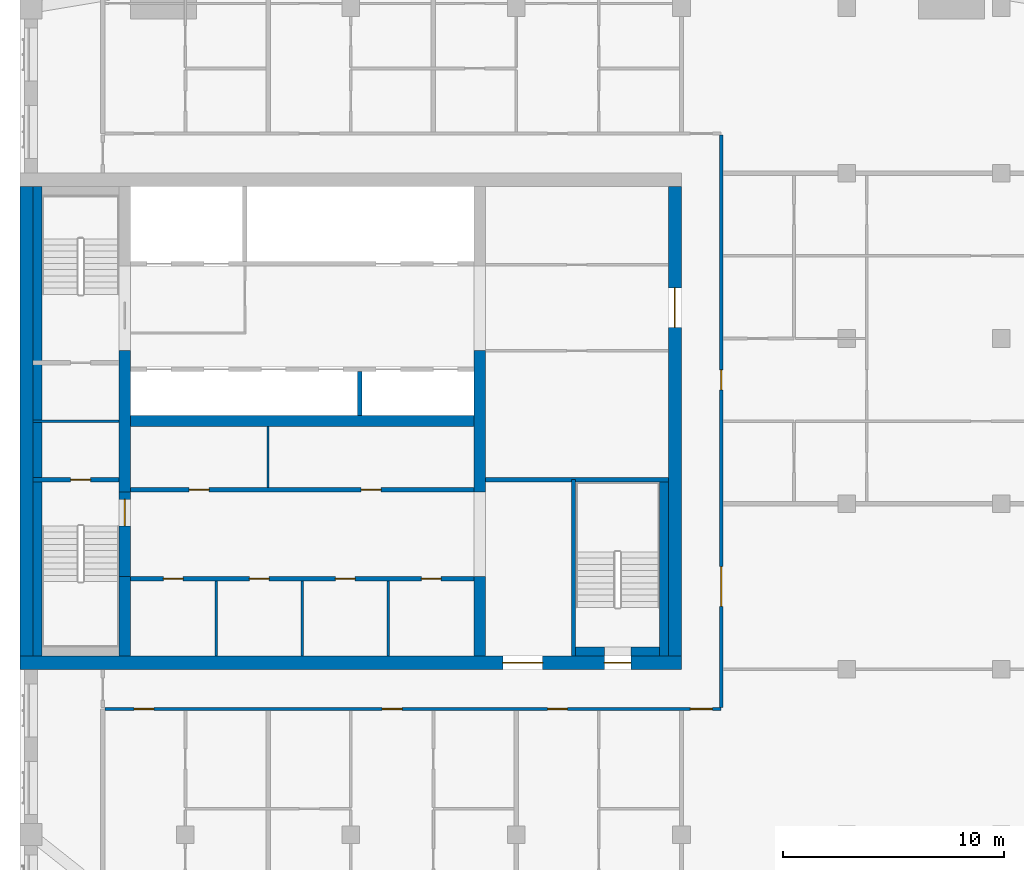
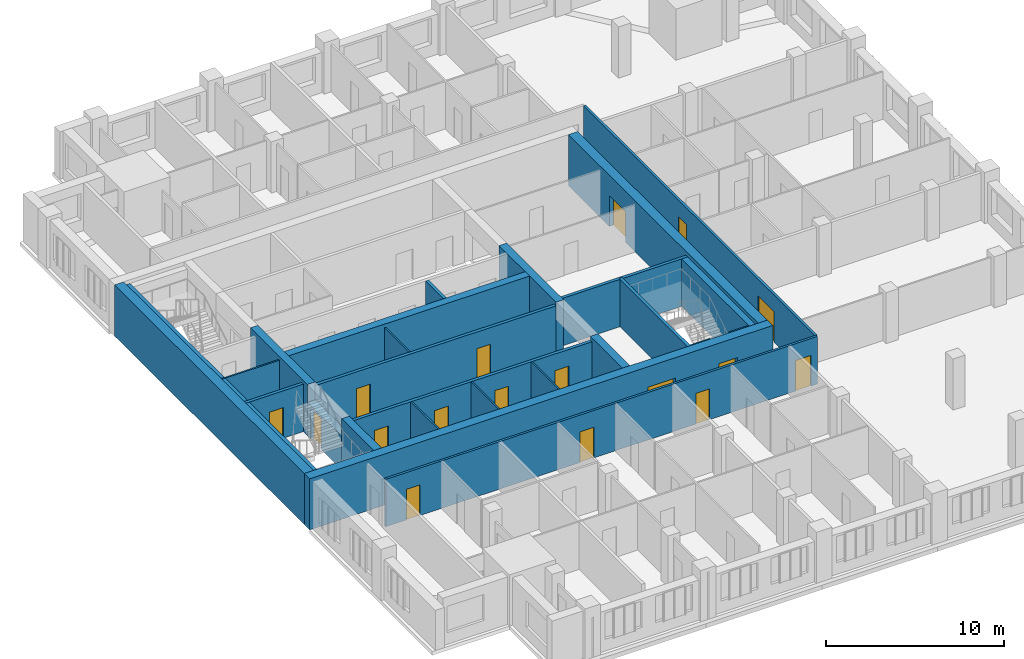
# One storey, part 4 of 11: 26 walls, 17 doors, 17 openings.
"""IFC4 building model written with IfcOpenShell, lengths in metres."""

import ifcopenshell
import ifcopenshell.guid

model = None  # the IFC model being written
_history = None  # IfcOwnerHistory: only IFC2X3 demands one
_inside = {}  # id of a spatial element -> (the spatial element, [elements in it])
_under = {}  # id of a project, library or spatial element -> (it, [spatial elements below it])
_declared = {}  # id of a project -> (the project, [libraries it declares])
_typed = {}  # id of a type object -> (the type object, [elements of that type])
_made_of = {}  # id of a material, layer set ... -> (it, [elements and type objects made of it])


def new_model(schema):
    """Start an empty IFC model of exactly this schema.

    Asked for "IFC4X3", IfcOpenShell would pick the latest addendum, in which some entities
    have other attributes; the version numbers below select the first issue.
    IFC2X3 requires an IfcOwnerHistory on every rooted entity: one is made here for all.
    """
    global model, _history
    if schema == "IFC4X3":
        model = ifcopenshell.file(schema_version=(4, 3, 0, 0))
    else:
        model = ifcopenshell.file(schema=schema)
    _inside.clear()
    _under.clear()
    _declared.clear()
    _typed.clear()
    _made_of.clear()
    _history = None
    if model.schema == "IFC2X3":
        org = make("IfcOrganization", Name="unknown")
        user = make(
            "IfcPersonAndOrganization",
            ThePerson=make("IfcPerson", FamilyName="unknown"),
            TheOrganization=org,
        )
        app = make(
            "IfcApplication",
            ApplicationDeveloper=org,
            Version="unknown",
            ApplicationFullName="unknown",
            ApplicationIdentifier="unknown",
        )
        _history = make(
            "IfcOwnerHistory",
            OwningUser=user,
            OwningApplication=app,
            ChangeAction="ADDED",
            CreationDate=0,
        )
    return model


def make(cls, **values):
    """One entity of the class cls with the attributes given. An attribute that is None is left unset."""
    return model.create_entity(
        cls, **{name: value for name, value in values.items() if value is not None}
    )


def rooted(cls, **values):
    """An entity with a GlobalId (a new one), such as an element, a storey or a relation."""
    return make(cls, GlobalId=ifcopenshell.guid.new(), OwnerHistory=_history, **values)


def si_unit(unit_type, name, prefix=None):
    """IfcSIUnit, for example si_unit("LENGTHUNIT", "METRE", prefix="MILLI")."""
    return make("IfcSIUnit", UnitType=unit_type, Prefix=prefix, Name=name)


def assignment(units):
    """IfcUnitAssignment: the units of a project."""
    return None if units is None else make("IfcUnitAssignment", Units=units)


def point(xyz):
    """IfcCartesianPoint."""
    return None if xyz is None else make("IfcCartesianPoint", Coordinates=xyz)


def direction(xyz):
    """IfcDirection."""
    return None if xyz is None else make("IfcDirection", DirectionRatios=xyz)


def frame(location, z_axis=None, x_axis=None):
    """IfcAxis2Placement3D, a coordinate frame: its origin and axes. An axis left out is left unset."""
    return make(
        "IfcAxis2Placement3D",
        Location=point(location),
        Axis=direction(z_axis),
        RefDirection=direction(x_axis),
    )


def frame_2d(location, x_axis=None):
    """IfcAxis2Placement2D, a coordinate frame in the plane: its origin and x axis."""
    return make(
        "IfcAxis2Placement2D", Location=point(location), RefDirection=direction(x_axis)
    )


def origin():
    """The frame at (0, 0, 0) with its axes left unset."""
    return frame((0.0, 0.0, 0.0))


def place(relative_to, where):
    """IfcLocalPlacement: puts the frame where relative to a parent placement (None: the world)."""
    return make(
        "IfcLocalPlacement", PlacementRelTo=relative_to, RelativePlacement=where
    )


def context(
    kind, dimensions, precision=None, world=None, true_north=None, identifier=None
):
    """IfcGeometricRepresentationContext, for example the 3D "Model" context."""
    return make(
        "IfcGeometricRepresentationContext",
        ContextIdentifier=identifier,
        ContextType=kind,
        CoordinateSpaceDimension=dimensions,
        Precision=precision,
        WorldCoordinateSystem=world,
        TrueNorth=true_north,
    )


def subcontext(parent, identifier, kind, view, scale=None):
    """IfcGeometricRepresentationSubContext, for example "Body" below "Model"."""
    return make(
        "IfcGeometricRepresentationSubContext",
        ContextIdentifier=identifier,
        ContextType=kind,
        ParentContext=parent,
        TargetScale=scale,
        TargetView=view,
    )


def project(units=None, contexts=None):
    """IfcProject with its units and contexts."""
    return rooted(
        "IfcProject",
        Name="project",
        RepresentationContexts=contexts,
        UnitsInContext=assignment(units),
    )


def spatial(cls, under=None, at=None, **own):
    """A site, building, storey or space (cls), placed at a placement, below another one or the project."""
    s = rooted(cls, ObjectPlacement=at, **own)
    if under is not None:
        _under.setdefault(under.id(), (under, []))[1].append(s)
    return s


def profile(cls, at=None, kind="AREA", **sizes):
    """A parametric profile (cls). Its sizes go by their IFC names, for example OverallWidth=200.0."""
    return make(cls, ProfileType=kind, Position=at, **sizes)


def rectangle(**sizes):
    """IfcRectangleProfileDef."""
    return profile("IfcRectangleProfileDef", **sizes)


def extrude(swept, where, along, depth):
    """IfcExtrudedAreaSolid: the profile swept, set in the frame where, extruded along a direction by depth."""
    return make(
        "IfcExtrudedAreaSolid",
        SweptArea=swept,
        Position=where,
        ExtrudedDirection=direction(along),
        Depth=depth,
    )


def shape(context_of_items, identifier, shape_type, items):
    """IfcShapeRepresentation: the items that make up one representation, for example the "Body"."""
    return make(
        "IfcShapeRepresentation",
        ContextOfItems=context_of_items,
        RepresentationIdentifier=identifier,
        RepresentationType=shape_type,
        Items=items,
    )


def material(Name=None, Category=None):
    """IfcMaterial."""
    return make("IfcMaterial", Name=Name, Category=Category)


def layer(
    of_material, thickness, ventilated=None, Name=None, Category=None, Priority=None
):
    """IfcMaterialLayer: one layer of a wall or slab, of a material (None: an air gap)."""
    return make(
        "IfcMaterialLayer",
        Material=of_material,
        LayerThickness=thickness,
        IsVentilated=ventilated,
        Name=Name,
        Category=Category,
        Priority=Priority,
    )


def layer_set(layers, Name=None):
    """IfcMaterialLayerSet."""
    return make("IfcMaterialLayerSet", MaterialLayers=layers, LayerSetName=Name)


def made_of(thing, what):
    """Note that an element or type object is made of a material, layer set ...; save() writes the relation."""
    if what is not None:
        _made_of.setdefault(what.id(), (what, []))[1].append(thing)
    return thing


def type_object(cls, material=None, **own):
    """A type object (cls), such as IfcWallType, which elements share."""
    return made_of(rooted(cls, **own), material)


def element(
    cls,
    number,
    at=None,
    inside=None,
    cuts=None,
    type_object=None,
    material=None,
    context=None,
    identifier="Body",
    shape_type=None,
    held_by="IfcProductDefinitionShape",
    body=None,
    shapes=None,
    **own,
):
    """One element of the class cls, such as IfcWall. Its Tag is "e" and its number.

    at: its placement. inside: the storey or other place that contains it. cuts: it is an
    opening in that element (IfcRelVoidsElement). A single representation is given by context,
    identifier, shape_type and body (its items); several are given by shapes. held_by: the class
    of the entity that holds the representations. save() writes the other relations.
    """
    e = rooted(cls, Tag="e%d" % number, ObjectPlacement=at, **own)
    if body is not None:
        shapes = [shape(context, identifier, shape_type, body)]
    if shapes is not None:
        e.Representation = make(held_by, Representations=shapes)
    if inside is not None:
        _inside.setdefault(inside.id(), (inside, []))[1].append(e)
    if cuts is not None:
        rooted(
            "IfcRelVoidsElement", RelatingBuildingElement=cuts, RelatedOpeningElement=e
        )
    if type_object is not None:
        _typed.setdefault(type_object.id(), (type_object, []))[1].append(e)
    return made_of(e, material)


def fill(opening, filler):
    """IfcRelFillsElement: the door or window that sits in an opening."""
    return rooted(
        "IfcRelFillsElement",
        RelatingOpeningElement=opening,
        RelatedBuildingElement=filler,
    )


def aggregate(whole, parts):
    """IfcRelAggregates: a whole, such as a stair, and the parts it consists of."""
    return rooted("IfcRelAggregates", RelatingObject=whole, RelatedObjects=parts)


def save(model, path):
    """Write the relations noted so far, then the file.

    IfcRelAggregates (storeys below a building ...), IfcRelContainedInSpatialStructure (elements
    in a storey), IfcRelDefinesByType, IfcRelAssociatesMaterial and IfcRelDeclares: one each for
    every whole, place, type object, material and project.
    """
    for whole, parts in _under.values():
        aggregate(whole, parts)
    for where, things in _inside.values():
        rooted(
            "IfcRelContainedInSpatialStructure",
            RelatedElements=things,
            RelatingStructure=where,
        )
    for kind, things in _typed.values():
        rooted("IfcRelDefinesByType", RelatedObjects=things, RelatingType=kind)
    for what, things in _made_of.values():
        rooted("IfcRelAssociatesMaterial", RelatedObjects=things, RelatingMaterial=what)
    for by, libraries in _declared.values():
        rooted("IfcRelDeclares", RelatingContext=by, RelatedDefinitions=libraries)
    model.write(path)


model = new_model("IFC4")

# Units and contexts
model_context = context("Model", 3, precision=1e-05, world=origin(), true_north=direction((0.0, 1.0)))
body_context = subcontext(model_context, "Body", "Model", "MODEL_VIEW")
ifc_project = project(units=[si_unit("LENGTHUNIT", "METRE"), si_unit("AREAUNIT", "SQUARE_METRE"), si_unit("VOLUMEUNIT", "CUBIC_METRE"), si_unit("PLANEANGLEUNIT", "RADIAN"), si_unit("MASSUNIT", "GRAM", prefix="KILO")], contexts=[model_context])

# Site, building, storey
site_placement = place(None, origin())
site = spatial("IfcSite", under=ifc_project, at=site_placement, CompositionType="ELEMENT")
building_placement = place(site_placement, origin())
building = spatial("IfcBuilding", under=site, at=building_placement, Name="Tamorin Gate", CompositionType="ELEMENT")
storey_placement = place(building_placement, frame((0.0, 0.0, 230.199951171875)))
storey = spatial("IfcBuildingStorey", under=building, at=storey_placement, Name="L57", CompositionType="ELEMENT", Elevation=230.199951171875)

# Wall, openings, doors
ifc_material_1 = material(Name="Gypsum board partition")
ifc_layer_1 = layer(ifc_material_1, 0.14990234375)
ifc_layer_set_1 = layer_set([ifc_layer_1], Name="Corridor wall 150")
wall_type_1 = type_object("IfcWallType", Name="Corridor wall 150", PredefinedType="PARTITIONING", material=ifc_layer_set_1)
wall_1_placement = place(storey_placement, frame((33.85009765625, 58.199951171875, 0.0), z_axis=(0.0, 0.0, 1.0), x_axis=(1.0, 0.0, 0.0)))
wall_1 = element("IfcWall", 1, at=wall_1_placement, inside=storey, type_object=wall_type_1, Name="Corridor wall 150", PredefinedType="PARTITIONING", context=body_context, shape_type="SweptSolid", body=[
    extrude(rectangle(XDim=27.949951171875, YDim=0.14990234375, at=frame_2d((13.97509765625, 0.0))), origin(), (0.0, 0.0, 1.0), 3.25),
])
opening_1_placement = place(wall_1_placement, frame((1.324951171875, 0.0, 0.0)))
opening_1 = element("IfcOpeningElement", 2, at=opening_1_placement, cuts=wall_1, Name="Opening DR7002", PredefinedType="OPENING", context=body_context, shape_type="SweptSolid", body=[
    extrude(rectangle(XDim=0.89990234375, YDim=2.10009765625, at=frame_2d((0.449951171875, 1.050048828125))), frame((0.0, 0.0849609375, 0.0), z_axis=(0.0, -1.0, 0.0), x_axis=(1.0, 0.0, 0.0)), (0.0, 0.0, 1.0), 0.169921875),
])
opening_2_placement = place(wall_1_placement, frame((12.574951171875, 0.0, 0.0)))
opening_2 = element("IfcOpeningElement", 3, at=opening_2_placement, cuts=wall_1, Name="Opening DR7009", PredefinedType="OPENING", context=body_context, shape_type="SweptSolid", body=[
    extrude(rectangle(XDim=0.89990234375, YDim=2.10009765625, at=frame_2d((0.449951171875, 1.050048828125))), frame((0.0, 0.0849609375, 0.0), z_axis=(0.0, -1.0, 0.0), x_axis=(1.0, 0.0, 0.0)), (0.0, 0.0, 1.0), 0.169921875),
])
opening_3_placement = place(wall_1_placement, frame((20.074951171875, 0.0, 0.0)))
opening_3 = element("IfcOpeningElement", 4, at=opening_3_placement, cuts=wall_1, Name="Opening DR7015", PredefinedType="OPENING", context=body_context, shape_type="SweptSolid", body=[
    extrude(rectangle(XDim=0.89990234375, YDim=2.10009765625, at=frame_2d((0.449951171875, 1.050048828125))), frame((0.0, 0.0849609375, 0.0), z_axis=(0.0, -1.0, 0.0), x_axis=(1.0, 0.0, 0.0)), (0.0, 0.0, 1.0), 0.169921875),
])
opening_4_placement = place(wall_1_placement, frame((26.550048828125, 0.0, 0.0)))
opening_4 = element("IfcOpeningElement", 5, at=opening_4_placement, cuts=wall_1, Name="Opening DR7020", PredefinedType="OPENING", context=body_context, shape_type="SweptSolid", body=[
    extrude(rectangle(XDim=1.0, YDim=2.10009765625, at=frame_2d((0.5, 1.050048828125))), frame((0.0, 0.0849609375, 0.0), z_axis=(0.0, -1.0, 0.0), x_axis=(1.0, 0.0, 0.0)), (0.0, 0.0, 1.0), 0.169921875),
])
ifc_material_2 = material(Name="Timber door leaf", Category="wood")
door_type_1 = type_object("IfcDoorType", Name="Door 1000 x 2100 FD30S", OperationType="NOTDEFINED", PredefinedType="DOOR", material=ifc_material_2)
door_1_placement = place(opening_4_placement, origin())
door_1 = element("IfcDoor", 6, at=door_1_placement, inside=storey, type_object=door_type_1, Name="Door DR7020", OperationType="SINGLE_SWING_RIGHT", OverallHeight=2.10009765625, OverallWidth=1.0, PredefinedType="DOOR", context=body_context, shape_type="SweptSolid", body=[
    extrude(rectangle(XDim=1.0, YDim=2.10009765625, at=frame_2d((0.5, 1.050048828125))), frame((0.0, 0.02490234375, 0.0), z_axis=(0.0, -1.0, 0.0), x_axis=(1.0, 0.0, 0.0)), (0.0, 0.0, 1.0), 0.050048828125),
])
fill(opening_4, door_1)
door_type_2 = type_object("IfcDoorType", Name="Door 900 x 2100 FD30S", OperationType="NOTDEFINED", PredefinedType="DOOR", material=ifc_material_2)
door_2_placement = place(opening_1_placement, origin())
door_2 = element("IfcDoor", 7, at=door_2_placement, inside=storey, type_object=door_type_2, Name="Door DR7002", OperationType="SINGLE_SWING_RIGHT", OverallHeight=2.10009765625, OverallWidth=0.89990234375, PredefinedType="DOOR", context=body_context, shape_type="SweptSolid", body=[
    extrude(rectangle(XDim=0.89990234375, YDim=2.10009765625, at=frame_2d((0.449951171875, 1.050048828125))), frame((0.0, 0.02490234375, 0.0), z_axis=(0.0, -1.0, 0.0), x_axis=(1.0, 0.0, 0.0)), (0.0, 0.0, 1.0), 0.050048828125),
])
fill(opening_1, door_2)
door_3_placement = place(opening_2_placement, origin())
door_3 = element("IfcDoor", 8, at=door_3_placement, inside=storey, type_object=door_type_2, Name="Door DR7009", OperationType="SINGLE_SWING_RIGHT", OverallHeight=2.10009765625, OverallWidth=0.89990234375, PredefinedType="DOOR", context=body_context, shape_type="SweptSolid", body=[
    extrude(rectangle(XDim=0.89990234375, YDim=2.10009765625, at=frame_2d((0.449951171875, 1.050048828125))), frame((0.0, 0.02490234375, 0.0), z_axis=(0.0, -1.0, 0.0), x_axis=(1.0, 0.0, 0.0)), (0.0, 0.0, 1.0), 0.050048828125),
])
fill(opening_2, door_3)
door_4_placement = place(opening_3_placement, origin())
door_4 = element("IfcDoor", 9, at=door_4_placement, inside=storey, type_object=door_type_2, Name="Door DR7015", OperationType="SINGLE_SWING_RIGHT", OverallHeight=2.10009765625, OverallWidth=0.89990234375, PredefinedType="DOOR", context=body_context, shape_type="SweptSolid", body=[
    extrude(rectangle(XDim=0.89990234375, YDim=2.10009765625, at=frame_2d((0.449951171875, 1.050048828125))), frame((0.0, 0.02490234375, 0.0), z_axis=(0.0, -1.0, 0.0), x_axis=(1.0, 0.0, 0.0)), (0.0, 0.0, 1.0), 0.050048828125),
])
fill(opening_3, door_4)

wall_2_placement = place(storey_placement, frame((61.800048828125, 58.27490234375, 0.0), z_axis=(0.0, 0.0, 1.0), x_axis=(0.0, 1.0, 0.0)))
wall_2 = element("IfcWall", 10, at=wall_2_placement, inside=storey, type_object=wall_type_1, Name="Corridor wall 150", PredefinedType="PARTITIONING", context=body_context, shape_type="SweptSolid", body=[
    extrude(rectangle(XDim=25.9501953125, YDim=0.14990234375, at=frame_2d((12.97509765625, 0.0))), origin(), (0.0, 0.0, 1.0), 3.25),
])
opening_5_placement = place(wall_2_placement, frame((4.574951171875, 0.0, 0.0)))
opening_5 = element("IfcOpeningElement", 11, at=opening_5_placement, cuts=wall_2, Name="Opening DR7041", PredefinedType="OPENING", context=body_context, shape_type="SweptSolid", body=[
    extrude(rectangle(XDim=1.800048828125, YDim=2.10009765625, at=frame_2d((0.89990234375, 1.050048828125))), frame((0.0, 0.0849609375, 0.0), z_axis=(0.0, -1.0, 0.0), x_axis=(1.0, 0.0, 0.0)), (0.0, 0.0, 1.0), 0.169921875),
])
opening_6_placement = place(wall_2_placement, frame((14.39990234375, 0.0, 0.0)))
opening_6 = element("IfcOpeningElement", 12, at=opening_6_placement, cuts=wall_2, Name="Opening DR7044", PredefinedType="OPENING", context=body_context, shape_type="SweptSolid", body=[
    extrude(rectangle(XDim=0.89990234375, YDim=2.10009765625, at=frame_2d((0.449951171875, 1.050048828125))), frame((0.0, 0.0849609375, 0.0), z_axis=(0.0, -1.0, 0.0), x_axis=(1.0, 0.0, 0.0)), (0.0, 0.0, 1.0), 0.169921875),
])
door_type_3 = type_object("IfcDoorType", Name="Door 1800 x 2100 FD30S", OperationType="DOUBLE_DOOR_SINGLE_SWING", PredefinedType="DOOR", material=ifc_material_2)
door_5_placement = place(opening_5_placement, origin())
door_5 = element("IfcDoor", 13, at=door_5_placement, inside=storey, type_object=door_type_3, Name="Door DR7041", OperationType="DOUBLE_DOOR_SINGLE_SWING", OverallHeight=2.10009765625, OverallWidth=1.800048828125, PredefinedType="DOOR", context=body_context, shape_type="SweptSolid", body=[
    extrude(rectangle(XDim=1.800048828125, YDim=2.10009765625, at=frame_2d((0.89990234375, 1.050048828125))), frame((0.0, 0.02490234375, 0.0), z_axis=(0.0, -1.0, 0.0), x_axis=(1.0, 0.0, 0.0)), (0.0, 0.0, 1.0), 0.050048828125),
])
fill(opening_5, door_5)
door_6_placement = place(opening_6_placement, origin())
door_6 = element("IfcDoor", 14, at=door_6_placement, inside=storey, type_object=door_type_2, Name="Door DR7044", OperationType="SINGLE_SWING_RIGHT", OverallHeight=2.10009765625, OverallWidth=0.89990234375, PredefinedType="DOOR", context=body_context, shape_type="SweptSolid", body=[
    extrude(rectangle(XDim=0.89990234375, YDim=2.10009765625, at=frame_2d((0.449951171875, 1.050048828125))), frame((0.0, 0.02490234375, 0.0), z_axis=(0.0, -1.0, 0.0), x_axis=(1.0, 0.0, 0.0)), (0.0, 0.0, 1.0), 0.050048828125),
])
fill(opening_6, door_6)

# Walls
ifc_material_3 = material(Name="Concrete C32/40", Category="concrete")
ifc_layer_2 = layer(ifc_material_3, 0.199951171875)
ifc_layer_set_2 = layer_set([ifc_layer_2], Name="Lift shaft wall 200 EI 120")
wall_type_2 = type_object("IfcWallType", Name="Lift shaft wall 200 EI 120", PredefinedType="SOLIDWALL", material=ifc_layer_set_2)
wall_3_placement = place(storey_placement, frame((45.39990234375, 71.5, 0.0), z_axis=(0.0, 0.0, 1.0), x_axis=(0.0, 1.0, 0.0)))
element("IfcWall", 15, at=wall_3_placement, inside=storey, type_object=wall_type_2, Name="Lift shaft wall", PredefinedType="SOLIDWALL", context=body_context, shape_type="SweptSolid", body=[
    extrude(rectangle(XDim=2.0, YDim=0.199951171875, at=frame_2d((1.0, 0.0))), origin(), (0.0, 0.0, 1.0), 3.5),
])
ifc_material_4 = material(Name="Concrete C50/60", Category="concrete")
ifc_layer_3 = layer(ifc_material_4, 0.5)
ifc_layer_set_3 = layer_set([ifc_layer_3], Name="RC core internal wall 500 C50/60")
wall_type_3 = type_object("IfcWallType", Name="RC core internal wall 500 C50/60", PredefinedType="SHEAR", material=ifc_layer_set_3)
wall_4_placement = place(storey_placement, frame((35.0, 71.25, 0.0), z_axis=(0.0, 0.0, 1.0), x_axis=(1.0, 0.0, 0.0)))
element("IfcWall", 16, at=wall_4_placement, inside=storey, type_object=wall_type_3, Name="Core spine wall L57", PredefinedType="SHEAR", context=body_context, shape_type="SweptSolid", body=[
    extrude(rectangle(XDim=15.60009765625, YDim=0.5, at=frame_2d((7.800048828125, 0.0))), origin(), (0.0, 0.0, 1.0), 3.5),
])
wall_5_placement = place(storey_placement, frame((34.75, 60.60009765625, 0.0), z_axis=(0.0, 0.0, 1.0), x_axis=(0.0, 1.0, 0.0)))
element("IfcWall", 17, at=wall_5_placement, inside=storey, type_object=wall_type_3, Name="Core cross wall L57", PredefinedType="SHEAR", context=body_context, shape_type="SweptSolid", body=[
    extrude(rectangle(XDim=3.599853515625, YDim=0.5, at=frame_2d((1.7998046875, 0.0))), origin(), (0.0, 0.0, 1.0), 3.5),
])
wall_6_placement = place(storey_placement, frame((34.75, 68.050048828125, 0.0), z_axis=(0.0, 0.0, 1.0), x_axis=(0.0, 1.0, 0.0)))
element("IfcWall", 18, at=wall_6_placement, inside=storey, type_object=wall_type_3, Name="Core cross wall L57", PredefinedType="SHEAR", context=body_context, shape_type="SweptSolid", body=[
    extrude(rectangle(XDim=6.39990234375, YDim=0.5, at=frame_2d((3.199951171875, 0.0))), origin(), (0.0, 0.0, 1.0), 3.5),
])
wall_7_placement = place(storey_placement, frame((50.85009765625, 60.60009765625, 0.0), z_axis=(0.0, 0.0, 1.0), x_axis=(0.0, 1.0, 0.0)))
element("IfcWall", 19, at=wall_7_placement, inside=storey, type_object=wall_type_3, Name="Core cross wall L57", PredefinedType="SHEAR", context=body_context, shape_type="SweptSolid", body=[
    extrude(rectangle(XDim=3.599853515625, YDim=0.5, at=frame_2d((1.7998046875, 0.0))), origin(), (0.0, 0.0, 1.0), 3.5),
])
wall_8_placement = place(storey_placement, frame((50.85009765625, 68.050048828125, 0.0), z_axis=(0.0, 0.0, 1.0), x_axis=(0.0, 1.0, 0.0)))
element("IfcWall", 20, at=wall_8_placement, inside=storey, type_object=wall_type_3, Name="Core cross wall L57", PredefinedType="SHEAR", context=body_context, shape_type="SweptSolid", body=[
    extrude(rectangle(XDim=6.39990234375, YDim=0.5, at=frame_2d((3.199951171875, 0.0))), origin(), (0.0, 0.0, 1.0), 3.5),
])

# Wall, openings, doors
ifc_layer_4 = layer(ifc_material_4, 0.60009765625)
ifc_layer_set_4 = layer_set([ifc_layer_4], Name="RC core wall 600 C50/60")
wall_type_4 = type_object("IfcWallType", Name="RC core wall 600 C50/60", PredefinedType="SHEAR", material=ifc_layer_set_4)
wall_9_placement = place(storey_placement, frame((30.0, 60.300048828125, 0.0), z_axis=(0.0, 0.0, 1.0), x_axis=(1.0, 0.0, 0.0)))
wall_9 = element("IfcWall", 21, at=wall_9_placement, inside=storey, type_object=wall_type_4, Name="Core wall L57", PredefinedType="SHEAR", context=body_context, shape_type="SweptSolid", body=[
    extrude(rectangle(XDim=30.0, YDim=0.60009765625, at=frame_2d((15.0, 0.0))), origin(), (0.0, 0.0, 1.0), 3.5),
])
opening_7_placement = place(wall_9_placement, frame((21.89990234375, 0.0, 0.0)))
opening_7 = element("IfcOpeningElement", 22, at=opening_7_placement, cuts=wall_9, Name="Opening DE1", PredefinedType="OPENING", context=body_context, shape_type="SweptSolid", body=[
    extrude(rectangle(XDim=1.800048828125, YDim=2.10009765625, at=frame_2d((0.89990234375, 1.050048828125))), frame((0.0, 0.31005859375, 0.0), z_axis=(0.0, -1.0, 0.0), x_axis=(1.0, 0.0, 0.0)), (0.0, 0.0, 1.0), 0.6201171875),
])
opening_8_placement = place(wall_9_placement, frame((26.5, 0.0, 0.0)))
opening_8 = element("IfcOpeningElement", 23, at=opening_8_placement, cuts=wall_9, Name="Opening DS1", PredefinedType="OPENING", context=body_context, shape_type="SweptSolid", body=[
    extrude(rectangle(XDim=1.199951171875, YDim=2.10009765625, at=frame_2d((0.60009765625, 1.050048828125))), frame((0.0, 0.31005859375, 0.0), z_axis=(0.0, -1.0, 0.0), x_axis=(1.0, 0.0, 0.0)), (0.0, 0.0, 1.0), 0.6201171875),
])
ifc_material_5 = material(Name="Steel fire door", Category="steel")
door_type_4 = type_object("IfcDoorType", Name="Lobby exit double door 1800 x 2100 EI 60", OperationType="DOUBLE_DOOR_SINGLE_SWING", PredefinedType="DOOR", material=ifc_material_5)
door_7_placement = place(opening_7_placement, origin())
door_7 = element("IfcDoor", 24, at=door_7_placement, inside=storey, type_object=door_type_4, Name="Lift lobby A exit door", OperationType="DOUBLE_DOOR_SINGLE_SWING", OverallHeight=2.10009765625, OverallWidth=1.800048828125, PredefinedType="DOOR", context=body_context, shape_type="SweptSolid", body=[
    extrude(rectangle(XDim=1.800048828125, YDim=2.10009765625, at=frame_2d((0.89990234375, 1.050048828125))), frame((0.0, 0.02490234375, 0.0), z_axis=(0.0, -1.0, 0.0), x_axis=(1.0, 0.0, 0.0)), (0.0, 0.0, 1.0), 0.050048828125),
])
fill(opening_7, door_7)
door_type_5 = type_object("IfcDoorType", Name="Stair door 1200 x 2100 EI 90", OperationType="SINGLE_SWING_LEFT", PredefinedType="DOOR", material=ifc_material_5)
door_8_placement = place(opening_8_placement, origin())
door_8 = element("IfcDoor", 25, at=door_8_placement, inside=storey, type_object=door_type_5, Name="ST3 door", OperationType="SINGLE_SWING_LEFT", OverallHeight=2.10009765625, OverallWidth=1.199951171875, PredefinedType="DOOR", context=body_context, shape_type="SweptSolid", body=[
    extrude(rectangle(XDim=1.199951171875, YDim=2.10009765625, at=frame_2d((0.60009765625, 1.050048828125))), frame((0.0, 0.02490234375, 0.0), z_axis=(0.0, -1.0, 0.0), x_axis=(1.0, 0.0, 0.0)), (0.0, 0.0, 1.0), 0.050048828125),
])
fill(opening_8, door_8)

# Wall
wall_10_placement = place(storey_placement, frame((30.300048828125, 60.60009765625, 0.0), z_axis=(0.0, 0.0, 1.0), x_axis=(0.0, 1.0, 0.0)))
element("IfcWall", 26, at=wall_10_placement, inside=storey, type_object=wall_type_4, Name="Core wall L57", PredefinedType="SHEAR", context=body_context, shape_type="SweptSolid", body=[
    extrude(rectangle(XDim=21.2998046875, YDim=0.60009765625, at=frame_2d((10.64990234375, 0.0))), origin(), (0.0, 0.0, 1.0), 3.5),
])

# Wall, opening, door
wall_11_placement = place(storey_placement, frame((59.699951171875, 60.60009765625, 0.0), z_axis=(0.0, 0.0, 1.0), x_axis=(0.0, 1.0, 0.0)))
wall_11 = element("IfcWall", 27, at=wall_11_placement, inside=storey, type_object=wall_type_4, Name="Core wall L57", PredefinedType="SHEAR", context=body_context, shape_type="SweptSolid", body=[
    extrude(rectangle(XDim=21.2998046875, YDim=0.60009765625, at=frame_2d((10.64990234375, 0.0))), origin(), (0.0, 0.0, 1.0), 3.5),
])
opening_9_placement = place(wall_11_placement, frame((14.89990234375, 0.0, 0.0)))
opening_9 = element("IfcOpeningElement", 28, at=opening_9_placement, cuts=wall_11, Name="Opening DE1", PredefinedType="OPENING", context=body_context, shape_type="SweptSolid", body=[
    extrude(rectangle(XDim=1.800048828125, YDim=2.10009765625, at=frame_2d((0.89990234375, 1.050048828125))), frame((0.0, 0.31005859375, 0.0), z_axis=(0.0, -1.0, 0.0), x_axis=(1.0, 0.0, 0.0)), (0.0, 0.0, 1.0), 0.6201171875),
])
door_9_placement = place(opening_9_placement, origin())
door_9 = element("IfcDoor", 29, at=door_9_placement, inside=storey, type_object=door_type_4, Name="Lift lobby B exit door", OperationType="DOUBLE_DOOR_SINGLE_SWING", OverallHeight=2.10009765625, OverallWidth=1.800048828125, PredefinedType="DOOR", context=body_context, shape_type="SweptSolid", body=[
    extrude(rectangle(XDim=1.800048828125, YDim=2.10009765625, at=frame_2d((0.89990234375, 1.050048828125))), frame((0.0, 0.02490234375, 0.0), z_axis=(0.0, -1.0, 0.0), x_axis=(1.0, 0.0, 0.0)), (0.0, 0.0, 1.0), 0.050048828125),
])
fill(opening_9, door_9)

# Wall
ifc_material_6 = material(Name="Fire-rated gypsum board partition")
ifc_layer_5 = layer(ifc_material_6, 0.10009765625)
ifc_layer_set_5 = layer_set([ifc_layer_5], Name="Riser partition 100 EI 120")
wall_type_5 = type_object("IfcWallType", Name="Riser partition 100 EI 120", PredefinedType="PARTITIONING", material=ifc_layer_set_5)
wall_12_placement = place(storey_placement, frame((30.60009765625, 71.25, 0.0), z_axis=(0.0, 0.0, 1.0), x_axis=(1.0, 0.0, 0.0)))
element("IfcWall", 30, at=wall_12_placement, inside=storey, type_object=wall_type_5, Name="Riser partition", PredefinedType="PARTITIONING", context=body_context, shape_type="SweptSolid", body=[
    extrude(rectangle(XDim=3.89990234375, YDim=0.10009765625, at=frame_2d((1.949951171875, 0.0))), origin(), (0.0, 0.0, 1.0), 3.25),
])

# Wall, openings, doors
ifc_layer_6 = layer(ifc_material_1, 0.199951171875)
ifc_layer_set_6 = layer_set([ifc_layer_6], Name="Service room face wall 200 EI 60")
wall_type_6 = type_object("IfcWallType", Name="Service room face wall 200 EI 60", PredefinedType="PARTITIONING", material=ifc_layer_set_6)
wall_13_placement = place(storey_placement, frame((35.0, 64.10009765625, 0.0), z_axis=(0.0, 0.0, 1.0), x_axis=(1.0, 0.0, 0.0)))
wall_13 = element("IfcWall", 31, at=wall_13_placement, inside=storey, type_object=wall_type_6, Name="Service room face wall", PredefinedType="PARTITIONING", context=body_context, shape_type="SweptSolid", body=[
    extrude(rectangle(XDim=15.60009765625, YDim=0.199951171875, at=frame_2d((7.800048828125, 0.0))), origin(), (0.0, 0.0, 1.0), 3.25),
])
opening_10_placement = place(wall_13_placement, frame((1.5, 0.0, 0.0)))
opening_10 = element("IfcOpeningElement", 32, at=opening_10_placement, cuts=wall_13, Name="Opening DK1", PredefinedType="OPENING", context=body_context, shape_type="SweptSolid", body=[
    extrude(rectangle(XDim=0.89990234375, YDim=2.10009765625, at=frame_2d((0.449951171875, 1.050048828125))), frame((0.0, 0.10986328125, 0.0), z_axis=(0.0, -1.0, 0.0), x_axis=(1.0, 0.0, 0.0)), (0.0, 0.0, 1.0), 0.219970703125),
])
opening_11_placement = place(wall_13_placement, frame((5.39990234375, 0.0, 0.0)))
opening_11 = element("IfcOpeningElement", 33, at=opening_11_placement, cuts=wall_13, Name="Opening DK1", PredefinedType="OPENING", context=body_context, shape_type="SweptSolid", body=[
    extrude(rectangle(XDim=0.89990234375, YDim=2.10009765625, at=frame_2d((0.449951171875, 1.050048828125))), frame((0.0, 0.10986328125, 0.0), z_axis=(0.0, -1.0, 0.0), x_axis=(1.0, 0.0, 0.0)), (0.0, 0.0, 1.0), 0.219970703125),
])
opening_12_placement = place(wall_13_placement, frame((9.300048828125, 0.0, 0.0)))
opening_12 = element("IfcOpeningElement", 34, at=opening_12_placement, cuts=wall_13, Name="Opening DK1", PredefinedType="OPENING", context=body_context, shape_type="SweptSolid", body=[
    extrude(rectangle(XDim=0.89990234375, YDim=2.10009765625, at=frame_2d((0.449951171875, 1.050048828125))), frame((0.0, 0.10986328125, 0.0), z_axis=(0.0, -1.0, 0.0), x_axis=(1.0, 0.0, 0.0)), (0.0, 0.0, 1.0), 0.219970703125),
])
opening_13_placement = place(wall_13_placement, frame((13.199951171875, 0.0, 0.0)))
opening_13 = element("IfcOpeningElement", 35, at=opening_13_placement, cuts=wall_13, Name="Opening DK1", PredefinedType="OPENING", context=body_context, shape_type="SweptSolid", body=[
    extrude(rectangle(XDim=0.89990234375, YDim=2.10009765625, at=frame_2d((0.449951171875, 1.050048828125))), frame((0.0, 0.10986328125, 0.0), z_axis=(0.0, -1.0, 0.0), x_axis=(1.0, 0.0, 0.0)), (0.0, 0.0, 1.0), 0.219970703125),
])
ifc_material_7 = material(Name="Timber fire door", Category="wood")
door_type_6 = type_object("IfcDoorType", Name="Service room door 900 x 2100 EI 60", OperationType="SINGLE_SWING_LEFT", PredefinedType="DOOR", material=ifc_material_7)
door_10_placement = place(opening_10_placement, origin())
door_10 = element("IfcDoor", 36, at=door_10_placement, inside=storey, type_object=door_type_6, Name="Door Linen store", OperationType="SINGLE_SWING_LEFT", OverallHeight=2.10009765625, OverallWidth=0.89990234375, PredefinedType="DOOR", context=body_context, shape_type="SweptSolid", body=[
    extrude(rectangle(XDim=0.89990234375, YDim=2.10009765625, at=frame_2d((0.449951171875, 1.050048828125))), frame((0.0, 0.02490234375, 0.0), z_axis=(0.0, -1.0, 0.0), x_axis=(1.0, 0.0, 0.0)), (0.0, 0.0, 1.0), 0.050048828125),
])
fill(opening_10, door_10)
door_11_placement = place(opening_11_placement, origin())
door_11 = element("IfcDoor", 37, at=door_11_placement, inside=storey, type_object=door_type_6, Name="Door Pantry", OperationType="SINGLE_SWING_RIGHT", OverallHeight=2.10009765625, OverallWidth=0.89990234375, PredefinedType="DOOR", context=body_context, shape_type="SweptSolid", body=[
    extrude(rectangle(XDim=0.89990234375, YDim=2.10009765625, at=frame_2d((0.449951171875, 1.050048828125))), frame((0.0, 0.02490234375, 0.0), z_axis=(0.0, -1.0, 0.0), x_axis=(1.0, 0.0, 0.0)), (0.0, 0.0, 1.0), 0.050048828125),
])
fill(opening_11, door_11)
door_12_placement = place(opening_12_placement, origin())
door_12 = element("IfcDoor", 38, at=door_12_placement, inside=storey, type_object=door_type_6, Name="Door Valet room", OperationType="SINGLE_SWING_LEFT", OverallHeight=2.10009765625, OverallWidth=0.89990234375, PredefinedType="DOOR", context=body_context, shape_type="SweptSolid", body=[
    extrude(rectangle(XDim=0.89990234375, YDim=2.10009765625, at=frame_2d((0.449951171875, 1.050048828125))), frame((0.0, 0.02490234375, 0.0), z_axis=(0.0, -1.0, 0.0), x_axis=(1.0, 0.0, 0.0)), (0.0, 0.0, 1.0), 0.050048828125),
])
fill(opening_12, door_12)
door_13_placement = place(opening_13_placement, origin())
door_13 = element("IfcDoor", 39, at=door_13_placement, inside=storey, type_object=door_type_6, Name="Door Luggage store", OperationType="SINGLE_SWING_RIGHT", OverallHeight=2.10009765625, OverallWidth=0.89990234375, PredefinedType="DOOR", context=body_context, shape_type="SweptSolid", body=[
    extrude(rectangle(XDim=0.89990234375, YDim=2.10009765625, at=frame_2d((0.449951171875, 1.050048828125))), frame((0.0, 0.02490234375, 0.0), z_axis=(0.0, -1.0, 0.0), x_axis=(1.0, 0.0, 0.0)), (0.0, 0.0, 1.0), 0.050048828125),
])
fill(opening_13, door_13)

wall_14_placement = place(storey_placement, frame((35.0, 68.14990234375, 0.0), z_axis=(0.0, 0.0, 1.0), x_axis=(1.0, 0.0, 0.0)))
wall_14 = element("IfcWall", 40, at=wall_14_placement, inside=storey, type_object=wall_type_6, Name="Service room face wall", PredefinedType="PARTITIONING", context=body_context, shape_type="SweptSolid", body=[
    extrude(rectangle(XDim=15.60009765625, YDim=0.199951171875, at=frame_2d((7.800048828125, 0.0))), origin(), (0.0, 0.0, 1.0), 3.25),
])
opening_14_placement = place(wall_14_placement, frame((2.675048828125, 0.0, 0.0)))
opening_14 = element("IfcOpeningElement", 41, at=opening_14_placement, cuts=wall_14, Name="Opening DK1", PredefinedType="OPENING", context=body_context, shape_type="SweptSolid", body=[
    extrude(rectangle(XDim=0.89990234375, YDim=2.10009765625, at=frame_2d((0.449951171875, 1.050048828125))), frame((0.0, 0.10986328125, 0.0), z_axis=(0.0, -1.0, 0.0), x_axis=(1.0, 0.0, 0.0)), (0.0, 0.0, 1.0), 0.219970703125),
])
opening_15_placement = place(wall_14_placement, frame((10.47509765625, 0.0, 0.0)))
opening_15 = element("IfcOpeningElement", 42, at=opening_15_placement, cuts=wall_14, Name="Opening DK1", PredefinedType="OPENING", context=body_context, shape_type="SweptSolid", body=[
    extrude(rectangle(XDim=0.89990234375, YDim=2.10009765625, at=frame_2d((0.449951171875, 1.050048828125))), frame((0.0, 0.10986328125, 0.0), z_axis=(0.0, -1.0, 0.0), x_axis=(1.0, 0.0, 0.0)), (0.0, 0.0, 1.0), 0.219970703125),
])
door_14_placement = place(opening_14_placement, origin())
door_14 = element("IfcDoor", 43, at=door_14_placement, inside=storey, type_object=door_type_6, Name="Door Valet room", OperationType="SINGLE_SWING_LEFT", OverallHeight=2.10009765625, OverallWidth=0.89990234375, PredefinedType="DOOR", context=body_context, shape_type="SweptSolid", body=[
    extrude(rectangle(XDim=0.89990234375, YDim=2.10009765625, at=frame_2d((0.449951171875, 1.050048828125))), frame((0.0, 0.02490234375, 0.0), z_axis=(0.0, -1.0, 0.0), x_axis=(1.0, 0.0, 0.0)), (0.0, 0.0, 1.0), 0.050048828125),
])
fill(opening_14, door_14)
door_15_placement = place(opening_15_placement, origin())
door_15 = element("IfcDoor", 44, at=door_15_placement, inside=storey, type_object=door_type_6, Name="Door Electrical and IT room", OperationType="SINGLE_SWING_RIGHT", OverallHeight=2.10009765625, OverallWidth=0.89990234375, PredefinedType="DOOR", context=body_context, shape_type="SweptSolid", body=[
    extrude(rectangle(XDim=0.89990234375, YDim=2.10009765625, at=frame_2d((0.449951171875, 1.050048828125))), frame((0.0, 0.02490234375, 0.0), z_axis=(0.0, -1.0, 0.0), x_axis=(1.0, 0.0, 0.0)), (0.0, 0.0, 1.0), 0.050048828125),
])
fill(opening_15, door_15)

# Walls
ifc_layer_7 = layer(ifc_material_1, 0.10009765625)
ifc_layer_set_7 = layer_set([ifc_layer_7], Name="Service room partition 100 EI 60")
wall_type_7 = type_object("IfcWallType", Name="Service room partition 100 EI 60", PredefinedType="PARTITIONING", material=ifc_layer_set_7)
for number, where, z_axis, x_axis, name in (
    (45, (38.89990234375, 60.60009765625, 0.0), (0.0, 0.0, 1.0), (0.0, 1.0, 0.0), "Service room partition"),
    (46, (42.800048828125, 60.60009765625, 0.0), (0.0, 0.0, 1.0), (0.0, 1.0, 0.0), "Service room partition"),
    (47, (46.699951171875, 60.60009765625, 0.0), (0.0, 0.0, 1.0), (0.0, 1.0, 0.0), "Service room partition"),
):
    element("IfcWall", number, at=place(storey_placement, frame(where, z_axis=z_axis, x_axis=x_axis)), inside=storey, type_object=wall_type_7, Name=name, PredefinedType="PARTITIONING", context=body_context, shape_type="SweptSolid", body=[
        extrude(rectangle(XDim=3.39990234375, YDim=0.10009765625, at=frame_2d((1.699951171875, 0.0))), origin(), (0.0, 0.0, 1.0), 3.25),
    ])
wall_15_placement = place(storey_placement, frame((41.25, 68.25, 0.0), z_axis=(0.0, 0.0, 1.0), x_axis=(0.0, 1.0, 0.0)))
element("IfcWall", 48, at=wall_15_placement, inside=storey, type_object=wall_type_7, Name="Service room partition", PredefinedType="PARTITIONING", context=body_context, shape_type="SweptSolid", body=[
    extrude(rectangle(XDim=2.75, YDim=0.10009765625, at=frame_2d((1.375, 0.0))), origin(), (0.0, 0.0, 1.0), 3.25),
])

# Wall, opening, door
ifc_material_8 = material(Name="Concrete C40/50", Category="concrete")
ifc_layer_8 = layer(ifc_material_8, 0.199951171875)
ifc_layer_set_8 = layer_set([ifc_layer_8], Name="Stair enclosure wall 200 EI 120 C40/50")
wall_type_8 = type_object("IfcWallType", Name="Stair enclosure wall 200 EI 120 C40/50", PredefinedType="SOLIDWALL", material=ifc_layer_set_8)
wall_16_placement = place(storey_placement, frame((30.60009765625, 68.60009765625, 0.0), z_axis=(0.0, 0.0, 1.0), x_axis=(1.0, 0.0, 0.0)))
wall_16 = element("IfcWall", 49, at=wall_16_placement, inside=storey, type_object=wall_type_8, Name="Stair enclosure wall", PredefinedType="SOLIDWALL", context=body_context, shape_type="SweptSolid", body=[
    extrude(rectangle(XDim=3.89990234375, YDim=0.199951171875, at=frame_2d((1.949951171875, 0.0))), origin(), (0.0, 0.0, 1.0), 3.25),
])
opening_16_placement = place(wall_16_placement, frame((1.699951171875, 0.0, 0.0)))
opening_16 = element("IfcOpeningElement", 50, at=opening_16_placement, cuts=wall_16, Name="Opening DR1", PredefinedType="OPENING", context=body_context, shape_type="SweptSolid", body=[
    extrude(rectangle(XDim=0.89990234375, YDim=2.10009765625, at=frame_2d((0.449951171875, 1.050048828125))), frame((0.0, 0.10986328125, 0.0), z_axis=(0.0, -1.0, 0.0), x_axis=(1.0, 0.0, 0.0)), (0.0, 0.0, 1.0), 0.219970703125),
])
door_type_7 = type_object("IfcDoorType", Name="Riser access door 900 x 2100 EI 120", OperationType="SINGLE_SWING_LEFT", PredefinedType="DOOR", material=ifc_material_5)
door_16_placement = place(opening_16_placement, origin())
door_16 = element("IfcDoor", 51, at=door_16_placement, inside=storey, type_object=door_type_7, Name="Electrical riser door", OperationType="SINGLE_SWING_LEFT", OverallHeight=2.10009765625, OverallWidth=0.89990234375, PredefinedType="DOOR", context=body_context, shape_type="SweptSolid", body=[
    extrude(rectangle(XDim=0.89990234375, YDim=2.10009765625, at=frame_2d((0.449951171875, 1.050048828125))), frame((0.0, 0.02490234375, 0.0), z_axis=(0.0, -1.0, 0.0), x_axis=(1.0, 0.0, 0.0)), (0.0, 0.0, 1.0), 0.050048828125),
])
fill(opening_16, door_16)

# Walls
wall_17_placement = place(storey_placement, frame((55.10009765625, 60.60009765625, 0.0), z_axis=(0.0, 0.0, 1.0), x_axis=(0.0, 1.0, 0.0)))
element("IfcWall", 52, at=wall_17_placement, inside=storey, type_object=wall_type_8, Name="Stair enclosure wall", PredefinedType="SOLIDWALL", context=body_context, shape_type="SweptSolid", body=[
    extrude(rectangle(XDim=8.0, YDim=0.199951171875, at=frame_2d((4.0, 0.0))), origin(), (0.0, 0.0, 1.0), 3.25),
])
wall_18_placement = place(storey_placement, frame((51.10009765625, 68.60009765625, 0.0), z_axis=(0.0, 0.0, 1.0), x_axis=(1.0, 0.0, 0.0)))
element("IfcWall", 53, at=wall_18_placement, inside=storey, type_object=wall_type_8, Name="Stair enclosure wall", PredefinedType="SOLIDWALL", context=body_context, shape_type="SweptSolid", body=[
    extrude(rectangle(XDim=8.2998046875, YDim=0.199951171875, at=frame_2d((4.14990234375, 0.0))), origin(), (0.0, 0.0, 1.0), 3.25),
])
ifc_layer_9 = layer(ifc_material_4, 0.39990234375)
ifc_layer_set_9 = layer_set([ifc_layer_9], Name="Stair lining wall 400 EI 120 C50/60")
wall_type_9 = type_object("IfcWallType", Name="Stair lining wall 400 EI 120 C50/60", PredefinedType="SOLIDWALL", material=ifc_layer_set_9)
wall_19_placement = place(storey_placement, frame((30.800048828125, 60.60009765625, 0.0), z_axis=(0.0, 0.0, 1.0), x_axis=(0.0, 1.0, 0.0)))
element("IfcWall", 54, at=wall_19_placement, inside=storey, type_object=wall_type_9, Name="Stair lining wall", PredefinedType="SOLIDWALL", context=body_context, shape_type="SweptSolid", body=[
    extrude(rectangle(XDim=21.2998046875, YDim=0.39990234375, at=frame_2d((10.64990234375, 0.0))), origin(), (0.0, 0.0, 1.0), 3.25),
])
for number, where, z_axis, x_axis, name in (
    (55, (55.199951171875, 60.800048828125, 0.0), (0.0, 0.0, 1.0), (1.0, 0.0, 0.0), "Stair lining wall"),
    (56, (57.699951171875, 60.800048828125, 0.0), (0.0, 0.0, 1.0), (1.0, 0.0, 0.0), "Stair lining wall"),
):
    element("IfcWall", number, at=place(storey_placement, frame(where, z_axis=z_axis, x_axis=x_axis)), inside=storey, type_object=wall_type_9, Name=name, PredefinedType="SOLIDWALL", context=body_context, shape_type="SweptSolid", body=[
        extrude(rectangle(XDim=1.300048828125, YDim=0.39990234375, at=frame_2d((0.64990234375, 0.0))), origin(), (0.0, 0.0, 1.0), 3.25),
    ])
wall_20_placement = place(storey_placement, frame((59.199951171875, 60.60009765625, 0.0), z_axis=(0.0, 0.0, 1.0), x_axis=(0.0, 1.0, 0.0)))
element("IfcWall", 57, at=wall_20_placement, inside=storey, type_object=wall_type_9, Name="Stair lining wall", PredefinedType="SOLIDWALL", context=body_context, shape_type="SweptSolid", body=[
    extrude(rectangle(XDim=7.89990234375, YDim=0.39990234375, at=frame_2d((3.949951171875, 0.0))), origin(), (0.0, 0.0, 1.0), 3.25),
])

# Wall, opening, door
ifc_layer_10 = layer(ifc_material_3, 0.5)
ifc_layer_set_10 = layer_set([ifc_layer_10], Name="Stair lobby infill wall 500 EI 120")
wall_type_10 = type_object("IfcWallType", Name="Stair lobby infill wall 500 EI 120", PredefinedType="SOLIDWALL", material=ifc_layer_set_10)
wall_21_placement = place(storey_placement, frame((34.75, 64.199951171875, 0.0), z_axis=(0.0, 0.0, 1.0), x_axis=(0.0, 1.0, 0.0)))
wall_21 = element("IfcWall", 58, at=wall_21_placement, inside=storey, type_object=wall_type_10, Name="Stair lobby infill wall", PredefinedType="SOLIDWALL", context=body_context, shape_type="SweptSolid", body=[
    extrude(rectangle(XDim=3.85009765625, YDim=0.5, at=frame_2d((1.925048828125, 0.0))), origin(), (0.0, 0.0, 1.0), 2.300048828125),
])
opening_17_placement = place(wall_21_placement, frame((2.300048828125, 0.0, 0.0)))
opening_17 = element("IfcOpeningElement", 59, at=opening_17_placement, cuts=wall_21, Name="Opening DS1", PredefinedType="OPENING", context=body_context, shape_type="SweptSolid", body=[
    extrude(rectangle(XDim=1.199951171875, YDim=2.10009765625, at=frame_2d((0.60009765625, 1.050048828125))), frame((0.0, 0.260009765625, 0.0), z_axis=(0.0, -1.0, 0.0), x_axis=(1.0, 0.0, 0.0)), (0.0, 0.0, 1.0), 0.52001953125),
])
door_17_placement = place(opening_17_placement, origin())
door_17 = element("IfcDoor", 60, at=door_17_placement, inside=storey, type_object=door_type_5, Name="ST1 door", OperationType="SINGLE_SWING_LEFT", OverallHeight=2.10009765625, OverallWidth=1.199951171875, PredefinedType="DOOR", context=body_context, shape_type="SweptSolid", body=[
    extrude(rectangle(XDim=1.199951171875, YDim=2.10009765625, at=frame_2d((0.60009765625, 1.050048828125))), frame((0.0, 0.02490234375, 0.0), z_axis=(0.0, -1.0, 0.0), x_axis=(1.0, 0.0, 0.0)), (0.0, 0.0, 1.0), 0.050048828125),
])
fill(opening_17, door_17)

save(model, "model.ifc")
